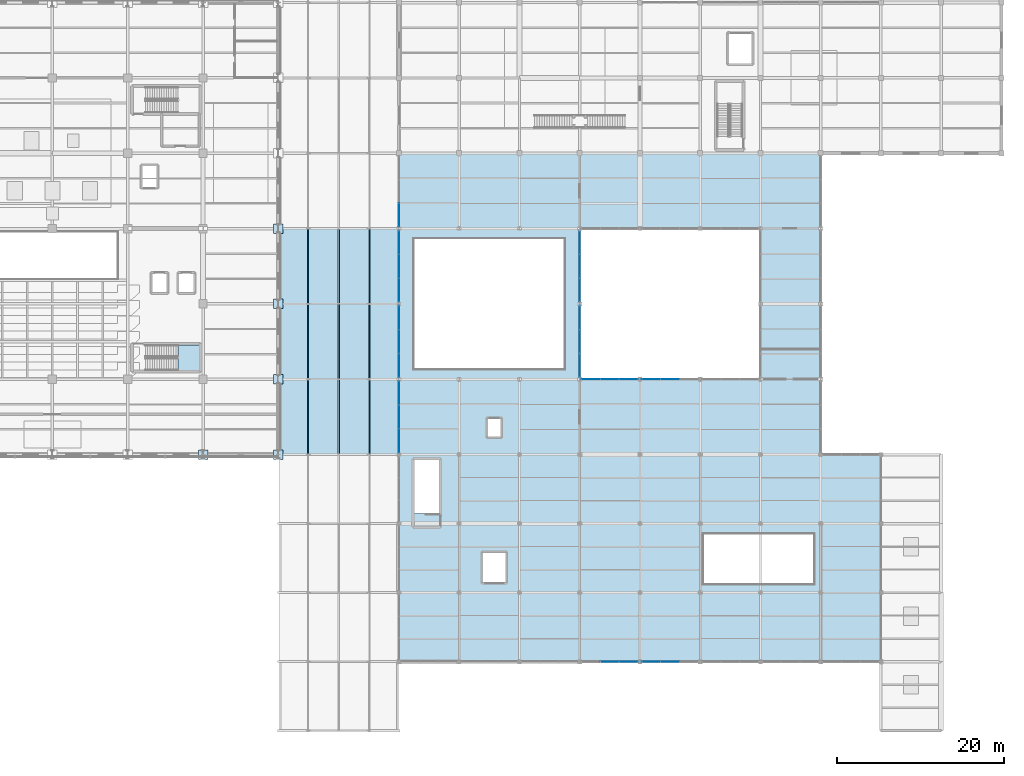
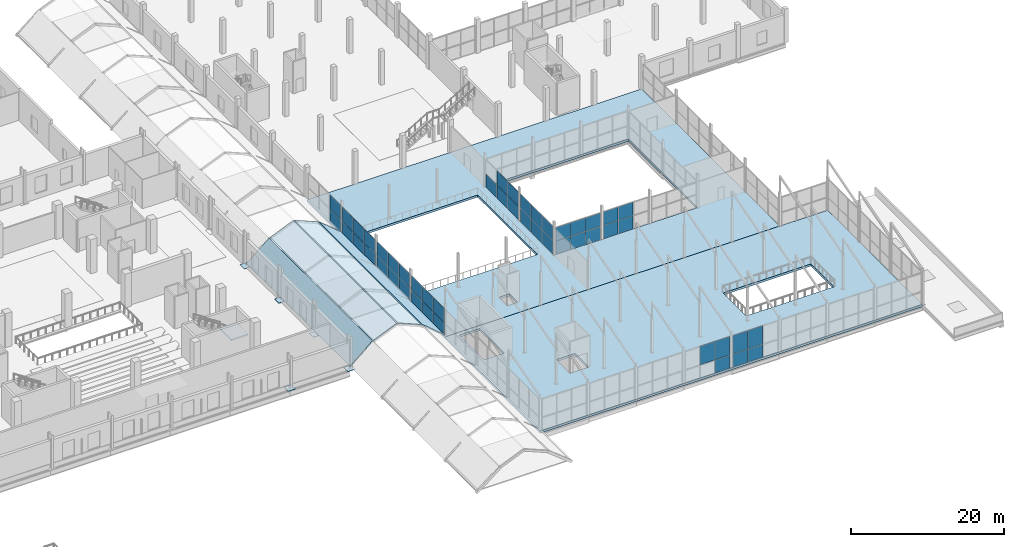
# One storey, part 101 of 141: 53 plates, 7 slabs, 11 elements without a shape of their own.
"""IFC4 building model written with IfcOpenShell, lengths in metres."""

from ifc_helpers import new_model, si_unit, direction, frame, origin, origin_2d, place, context, subcontext, project, spatial, polyline, rectangle, outline, extrude, material, layer, layer_set, type_object, element, aggregate, save


model = new_model("IFC4")

# Units and contexts
model_context = context("Model", 3, precision=1e-05, world=origin(), true_north=direction((0.0, 1.0)))
body_context = subcontext(model_context, "Body", "Model", "MODEL_VIEW")
ifc_project = project(units=[si_unit("LENGTHUNIT", "METRE"), si_unit("AREAUNIT", "SQUARE_METRE"), si_unit("VOLUMEUNIT", "CUBIC_METRE"), si_unit("PLANEANGLEUNIT", "RADIAN"), si_unit("MASSUNIT", "GRAM", prefix="KILO")], contexts=[model_context])

# Site, building, storey
site_placement = place(None, origin())
site = spatial("IfcSite", under=ifc_project, at=site_placement, CompositionType="ELEMENT")
building_placement = place(site_placement, origin())
building = spatial("IfcBuilding", under=site, at=building_placement, Name="Sundgate Opera House", CompositionType="ELEMENT")
storey_placement = place(building_placement, frame((0.0, 0.0, 11.39990234375)))
storey = spatial("IfcBuildingStorey", under=building, at=storey_placement, Name="L02", CompositionType="ELEMENT", Elevation=11.39990234375)

# Curtain wall, plates
ifc_material_1 = material(Name="Anodized aluminium and low-iron glass", Category="aluminium")
ifc_layer_1 = layer(ifc_material_1, 0.159912109375)
ifc_layer_set_1 = layer_set([ifc_layer_1], Name="Anodized aluminium and low-iron glass")
curtain_wall_type_1 = type_object("IfcCurtainWallType", Name="CW-STUDIO-DARK", PredefinedType="NOTDEFINED", material=ifc_layer_set_1)
curtain_wall_1_placement = place(storey_placement, origin())
curtain_wall_1 = element("IfcCurtainWall", 1, at=curtain_wall_1_placement, inside=storey, type_object=curtain_wall_type_1, Name="L02 Curtain Wall CW062", PredefinedType="NOTDEFINED")
ifc_material_2 = material(Name="Dark solar-control triple acoustic glazing", Category="glass")
ifc_layer_2 = layer(ifc_material_2, 0.031982421875)
ifc_layer_set_2 = layer_set([ifc_layer_2], Name="Dark solar-control triple acoustic glazing")
plate_type_1 = type_object("IfcPlateType", Name="CWP-DARK-32", PredefinedType="CURTAIN_PANEL", material=ifc_layer_set_2)
plate_1_placement = place(storey_placement, frame((95.39990234375, 40.35009765625, 0.02001953125), z_axis=(0.0, 0.0, 1.0), x_axis=(0.0, -1.0, 0.0)))
plate_1 = element("IfcPlate", 2, at=plate_1_placement, type_object=plate_type_1, Name="CW062 Panel 1", PredefinedType="CURTAIN_PANEL", context=body_context, shape_type="SweptSolid", body=[
    extrude(rectangle(XDim=2.81005859375, YDim=0.031982421875, at=origin_2d()), origin(), (0.0, 0.0, 1.0), 2.110107421875),
])
plate_2_placement = place(storey_placement, frame((95.39990234375, 40.35009765625, 2.169921875), z_axis=(0.0, 0.0, 1.0), x_axis=(0.0, -1.0, 0.0)))
plate_2 = element("IfcPlate", 3, at=plate_2_placement, type_object=plate_type_1, Name="CW062 Panel 2", PredefinedType="CURTAIN_PANEL", context=body_context, shape_type="SweptSolid", body=[
    extrude(rectangle(XDim=2.81005859375, YDim=0.031982421875, at=origin_2d()), origin(), (0.0, 0.0, 1.0), 2.264892578125),
])
plate_3_placement = place(storey_placement, frame((95.39990234375, 37.5, 0.02001953125), z_axis=(0.0, 0.0, 1.0), x_axis=(0.0, -1.0, 0.0)))
plate_3 = element("IfcPlate", 4, at=plate_3_placement, type_object=plate_type_1, Name="CW062 Panel 3", PredefinedType="CURTAIN_PANEL", context=body_context, shape_type="SweptSolid", body=[
    extrude(rectangle(XDim=2.81005859375, YDim=0.031982421875, at=origin_2d()), origin(), (0.0, 0.0, 1.0), 2.110107421875),
])
plate_4_placement = place(storey_placement, frame((95.39990234375, 37.5, 2.169921875), z_axis=(0.0, 0.0, 1.0), x_axis=(0.0, -1.0, 0.0)))
plate_4 = element("IfcPlate", 5, at=plate_4_placement, type_object=plate_type_1, Name="CW062 Panel 4", PredefinedType="CURTAIN_PANEL", context=body_context, shape_type="SweptSolid", body=[
    extrude(rectangle(XDim=2.81005859375, YDim=0.031982421875, at=origin_2d()), origin(), (0.0, 0.0, 1.0), 2.264892578125),
])
plate_5_placement = place(storey_placement, frame((95.39990234375, 34.64990234375, 0.02001953125), z_axis=(0.0, 0.0, 1.0), x_axis=(0.0, -1.0, 0.0)))
plate_5 = element("IfcPlate", 6, at=plate_5_placement, type_object=plate_type_1, Name="CW062 Panel 5", PredefinedType="CURTAIN_PANEL", context=body_context, shape_type="SweptSolid", body=[
    extrude(rectangle(XDim=2.81005859375, YDim=0.031982421875, at=origin_2d()), origin(), (0.0, 0.0, 1.0), 2.110107421875),
])
plate_6_placement = place(storey_placement, frame((95.39990234375, 34.64990234375, 2.169921875), z_axis=(0.0, 0.0, 1.0), x_axis=(0.0, -1.0, 0.0)))
plate_6 = element("IfcPlate", 7, at=plate_6_placement, type_object=plate_type_1, Name="CW062 Panel 6", PredefinedType="CURTAIN_PANEL", context=body_context, shape_type="SweptSolid", body=[
    extrude(rectangle(XDim=2.81005859375, YDim=0.031982421875, at=origin_2d()), origin(), (0.0, 0.0, 1.0), 2.264892578125),
])
aggregate(curtain_wall_1, [plate_1, plate_2, plate_3, plate_4, plate_5, plate_6])

curtain_wall_2_placement = place(storey_placement, origin())
curtain_wall_2 = element("IfcCurtainWall", 8, at=curtain_wall_2_placement, inside=storey, type_object=curtain_wall_type_1, Name="L02 Curtain Wall CW064", PredefinedType="NOTDEFINED")
plate_7_placement = place(storey_placement, frame((95.39990234375, 49.35009765625, 0.02001953125), z_axis=(0.0, 0.0, 1.0), x_axis=(0.0, -1.0, 0.0)))
plate_7 = element("IfcPlate", 9, at=plate_7_placement, type_object=plate_type_1, Name="CW064 Panel 1", PredefinedType="CURTAIN_PANEL", context=body_context, shape_type="SweptSolid", body=[
    extrude(rectangle(XDim=2.81005859375, YDim=0.031982421875, at=origin_2d()), origin(), (0.0, 0.0, 1.0), 2.110107421875),
])
plate_8_placement = place(storey_placement, frame((95.39990234375, 49.35009765625, 2.169921875), z_axis=(0.0, 0.0, 1.0), x_axis=(0.0, -1.0, 0.0)))
plate_8 = element("IfcPlate", 10, at=plate_8_placement, type_object=plate_type_1, Name="CW064 Panel 2", PredefinedType="CURTAIN_PANEL", context=body_context, shape_type="SweptSolid", body=[
    extrude(rectangle(XDim=2.81005859375, YDim=0.031982421875, at=origin_2d()), origin(), (0.0, 0.0, 1.0), 2.264892578125),
])
plate_9_placement = place(storey_placement, frame((95.39990234375, 46.5, 0.02001953125), z_axis=(0.0, 0.0, 1.0), x_axis=(0.0, -1.0, 0.0)))
plate_9 = element("IfcPlate", 11, at=plate_9_placement, type_object=plate_type_1, Name="CW064 Panel 3", PredefinedType="CURTAIN_PANEL", context=body_context, shape_type="SweptSolid", body=[
    extrude(rectangle(XDim=2.81005859375, YDim=0.031982421875, at=origin_2d()), origin(), (0.0, 0.0, 1.0), 2.110107421875),
])
plate_10_placement = place(storey_placement, frame((95.39990234375, 46.5, 2.169921875), z_axis=(0.0, 0.0, 1.0), x_axis=(0.0, -1.0, 0.0)))
plate_10 = element("IfcPlate", 12, at=plate_10_placement, type_object=plate_type_1, Name="CW064 Panel 4", PredefinedType="CURTAIN_PANEL", context=body_context, shape_type="SweptSolid", body=[
    extrude(rectangle(XDim=2.81005859375, YDim=0.031982421875, at=origin_2d()), origin(), (0.0, 0.0, 1.0), 2.264892578125),
])
plate_11_placement = place(storey_placement, frame((95.39990234375, 43.64990234375, 0.02001953125), z_axis=(0.0, 0.0, 1.0), x_axis=(0.0, -1.0, 0.0)))
plate_11 = element("IfcPlate", 13, at=plate_11_placement, type_object=plate_type_1, Name="CW064 Panel 5", PredefinedType="CURTAIN_PANEL", context=body_context, shape_type="SweptSolid", body=[
    extrude(rectangle(XDim=2.81005859375, YDim=0.031982421875, at=origin_2d()), origin(), (0.0, 0.0, 1.0), 2.110107421875),
])
plate_12_placement = place(storey_placement, frame((95.39990234375, 43.64990234375, 2.169921875), z_axis=(0.0, 0.0, 1.0), x_axis=(0.0, -1.0, 0.0)))
plate_12 = element("IfcPlate", 14, at=plate_12_placement, type_object=plate_type_1, Name="CW064 Panel 6", PredefinedType="CURTAIN_PANEL", context=body_context, shape_type="SweptSolid", body=[
    extrude(rectangle(XDim=2.81005859375, YDim=0.031982421875, at=origin_2d()), origin(), (0.0, 0.0, 1.0), 2.264892578125),
])
aggregate(curtain_wall_2, [plate_7, plate_8, plate_9, plate_10, plate_11, plate_12])

curtain_wall_3_placement = place(storey_placement, origin())
curtain_wall_3 = element("IfcCurtainWall", 15, at=curtain_wall_3_placement, inside=storey, type_object=curtain_wall_type_1, Name="L02 Curtain Wall CW066", PredefinedType="NOTDEFINED")
plate_13_placement = place(storey_placement, frame((95.39990234375, 58.35009765625, 0.02001953125), z_axis=(0.0, 0.0, 1.0), x_axis=(0.0, -1.0, 0.0)))
plate_13 = element("IfcPlate", 16, at=plate_13_placement, type_object=plate_type_1, Name="CW066 Panel 1", PredefinedType="CURTAIN_PANEL", context=body_context, shape_type="SweptSolid", body=[
    extrude(rectangle(XDim=2.81005859375, YDim=0.031982421875, at=origin_2d()), origin(), (0.0, 0.0, 1.0), 2.110107421875),
])
plate_14_placement = place(storey_placement, frame((95.39990234375, 58.35009765625, 2.169921875), z_axis=(0.0, 0.0, 1.0), x_axis=(0.0, -1.0, 0.0)))
plate_14 = element("IfcPlate", 17, at=plate_14_placement, type_object=plate_type_1, Name="CW066 Panel 2", PredefinedType="CURTAIN_PANEL", context=body_context, shape_type="SweptSolid", body=[
    extrude(rectangle(XDim=2.81005859375, YDim=0.031982421875, at=origin_2d()), origin(), (0.0, 0.0, 1.0), 2.264892578125),
])
plate_15_placement = place(storey_placement, frame((95.39990234375, 55.5, 0.02001953125), z_axis=(0.0, 0.0, 1.0), x_axis=(0.0, -1.0, 0.0)))
plate_15 = element("IfcPlate", 18, at=plate_15_placement, type_object=plate_type_1, Name="CW066 Panel 3", PredefinedType="CURTAIN_PANEL", context=body_context, shape_type="SweptSolid", body=[
    extrude(rectangle(XDim=2.81005859375, YDim=0.031982421875, at=origin_2d()), origin(), (0.0, 0.0, 1.0), 2.110107421875),
])
plate_16_placement = place(storey_placement, frame((95.39990234375, 55.5, 2.169921875), z_axis=(0.0, 0.0, 1.0), x_axis=(0.0, -1.0, 0.0)))
plate_16 = element("IfcPlate", 19, at=plate_16_placement, type_object=plate_type_1, Name="CW066 Panel 4", PredefinedType="CURTAIN_PANEL", context=body_context, shape_type="SweptSolid", body=[
    extrude(rectangle(XDim=2.81005859375, YDim=0.031982421875, at=origin_2d()), origin(), (0.0, 0.0, 1.0), 2.264892578125),
])
plate_17_placement = place(storey_placement, frame((95.39990234375, 52.64990234375, 0.02001953125), z_axis=(0.0, 0.0, 1.0), x_axis=(0.0, -1.0, 0.0)))
plate_17 = element("IfcPlate", 20, at=plate_17_placement, type_object=plate_type_1, Name="CW066 Panel 5", PredefinedType="CURTAIN_PANEL", context=body_context, shape_type="SweptSolid", body=[
    extrude(rectangle(XDim=2.81005859375, YDim=0.031982421875, at=origin_2d()), origin(), (0.0, 0.0, 1.0), 2.110107421875),
])
plate_18_placement = place(storey_placement, frame((95.39990234375, 52.64990234375, 2.169921875), z_axis=(0.0, 0.0, 1.0), x_axis=(0.0, -1.0, 0.0)))
plate_18 = element("IfcPlate", 21, at=plate_18_placement, type_object=plate_type_1, Name="CW066 Panel 6", PredefinedType="CURTAIN_PANEL", context=body_context, shape_type="SweptSolid", body=[
    extrude(rectangle(XDim=2.81005859375, YDim=0.031982421875, at=origin_2d()), origin(), (0.0, 0.0, 1.0), 2.264892578125),
])
aggregate(curtain_wall_3, [plate_13, plate_14, plate_15, plate_16, plate_17, plate_18])

curtain_wall_4_placement = place(storey_placement, origin())
curtain_wall_4 = element("IfcCurtainWall", 22, at=curtain_wall_4_placement, inside=storey, type_object=curtain_wall_type_1, Name="L02 Curtain Wall CW068", PredefinedType="NOTDEFINED")
plate_19_placement = place(storey_placement, frame((95.39990234375, 61.629150390625, 0.02001953125), z_axis=(0.0, 0.0, 1.0), x_axis=(0.0, -1.0, 0.0)))
plate_19 = element("IfcPlate", 23, at=plate_19_placement, type_object=plate_type_1, Name="CW068 Panel 5", PredefinedType="CURTAIN_PANEL", context=body_context, shape_type="SweptSolid", body=[
    extrude(rectangle(XDim=2.768310546875, YDim=0.031982421875, at=origin_2d()), origin(), (0.0, 0.0, 1.0), 2.110107421875),
])
plate_20_placement = place(storey_placement, frame((95.39990234375, 61.629150390625, 2.169921875), z_axis=(0.0, 0.0, 1.0), x_axis=(0.0, -1.0, 0.0)))
plate_20 = element("IfcPlate", 24, at=plate_20_placement, type_object=plate_type_1, Name="CW068 Panel 6", PredefinedType="CURTAIN_PANEL", context=body_context, shape_type="SweptSolid", body=[
    extrude(rectangle(XDim=2.768310546875, YDim=0.031982421875, at=origin_2d()), origin(), (0.0, 0.0, 1.0), 2.264892578125),
])
aggregate(curtain_wall_4, [plate_19, plate_20])

curtain_wall_5_placement = place(storey_placement, origin())
curtain_wall_5 = element("IfcCurtainWall", 25, at=curtain_wall_5_placement, inside=storey, type_object=curtain_wall_type_1, Name="L02 Curtain Wall CW070", PredefinedType="NOTDEFINED")
plate_21_placement = place(storey_placement, frame((118.35009765625, 42.0, 0.02001953125), z_axis=(0.0, 0.0, 1.0), x_axis=(1.0, 0.0, 0.0)))
plate_21 = element("IfcPlate", 26, at=plate_21_placement, type_object=plate_type_1, Name="CW070 Panel 1", PredefinedType="CURTAIN_PANEL", context=body_context, shape_type="SweptSolid", body=[
    extrude(rectangle(XDim=2.2099609375, YDim=0.031982421875, at=origin_2d()), origin(), (0.0, 0.0, 1.0), 2.110107421875),
])
plate_22_placement = place(storey_placement, frame((118.35009765625, 42.0, 2.169921875), z_axis=(0.0, 0.0, 1.0), x_axis=(1.0, 0.0, 0.0)))
plate_22 = element("IfcPlate", 27, at=plate_22_placement, type_object=plate_type_1, Name="CW070 Panel 2", PredefinedType="CURTAIN_PANEL", context=body_context, shape_type="SweptSolid", body=[
    extrude(rectangle(XDim=2.2099609375, YDim=0.031982421875, at=origin_2d()), origin(), (0.0, 0.0, 1.0), 2.114990234375),
])
plate_23_placement = place(storey_placement, frame((120.60009765625, 42.0, 0.02001953125), z_axis=(0.0, 0.0, 1.0), x_axis=(1.0, 0.0, 0.0)))
plate_23 = element("IfcPlate", 28, at=plate_23_placement, type_object=plate_type_1, Name="CW070 Panel 3", PredefinedType="CURTAIN_PANEL", context=body_context, shape_type="SweptSolid", body=[
    extrude(rectangle(XDim=2.2099609375, YDim=0.031982421875, at=origin_2d()), origin(), (0.0, 0.0, 1.0), 2.110107421875),
])
plate_24_placement = place(storey_placement, frame((120.60009765625, 42.0, 2.169921875), z_axis=(0.0, 0.0, 1.0), x_axis=(1.0, 0.0, 0.0)))
plate_24 = element("IfcPlate", 29, at=plate_24_placement, type_object=plate_type_1, Name="CW070 Panel 4", PredefinedType="CURTAIN_PANEL", context=body_context, shape_type="SweptSolid", body=[
    extrude(rectangle(XDim=2.2099609375, YDim=0.031982421875, at=origin_2d()), origin(), (0.0, 0.0, 1.0), 2.114990234375),
])
plate_25_placement = place(storey_placement, frame((122.85009765625, 42.0, 0.02001953125), z_axis=(0.0, 0.0, 1.0), x_axis=(1.0, 0.0, 0.0)))
plate_25 = element("IfcPlate", 30, at=plate_25_placement, type_object=plate_type_1, Name="CW070 Panel 5", PredefinedType="CURTAIN_PANEL", context=body_context, shape_type="SweptSolid", body=[
    extrude(rectangle(XDim=2.2099609375, YDim=0.031982421875, at=origin_2d()), origin(), (0.0, 0.0, 1.0), 2.110107421875),
])
plate_26_placement = place(storey_placement, frame((122.85009765625, 42.0, 2.169921875), z_axis=(0.0, 0.0, 1.0), x_axis=(1.0, 0.0, 0.0)))
plate_26 = element("IfcPlate", 31, at=plate_26_placement, type_object=plate_type_1, Name="CW070 Panel 6", PredefinedType="CURTAIN_PANEL", context=body_context, shape_type="SweptSolid", body=[
    extrude(rectangle(XDim=2.2099609375, YDim=0.031982421875, at=origin_2d()), origin(), (0.0, 0.0, 1.0), 2.114990234375),
])
aggregate(curtain_wall_5, [plate_21, plate_22, plate_23, plate_24, plate_25, plate_26])

curtain_wall_6_placement = place(storey_placement, origin())
curtain_wall_6 = element("IfcCurtainWall", 32, at=curtain_wall_6_placement, inside=storey, type_object=curtain_wall_type_1, Name="L02 Curtain Wall CW072", PredefinedType="NOTDEFINED")
plate_27_placement = place(storey_placement, frame((125.550048828125, 42.0, 0.02001953125), z_axis=(0.0, 0.0, 1.0), x_axis=(1.0, 0.0, 0.0)))
plate_27 = element("IfcPlate", 33, at=plate_27_placement, type_object=plate_type_1, Name="CW072 Panel 1", PredefinedType="CURTAIN_PANEL", context=body_context, shape_type="SweptSolid", body=[
    extrude(rectangle(XDim=2.2099609375, YDim=0.031982421875, at=origin_2d()), origin(), (0.0, 0.0, 1.0), 2.110107421875),
])
plate_28_placement = place(storey_placement, frame((125.550048828125, 42.0, 2.169921875), z_axis=(0.0, 0.0, 1.0), x_axis=(1.0, 0.0, 0.0)))
plate_28 = element("IfcPlate", 34, at=plate_28_placement, type_object=plate_type_1, Name="CW072 Panel 2", PredefinedType="CURTAIN_PANEL", context=body_context, shape_type="SweptSolid", body=[
    extrude(rectangle(XDim=2.2099609375, YDim=0.031982421875, at=origin_2d()), origin(), (0.0, 0.0, 1.0), 2.114990234375),
])
plate_29_placement = place(storey_placement, frame((127.800048828125, 42.0, 0.02001953125), z_axis=(0.0, 0.0, 1.0), x_axis=(1.0, 0.0, 0.0)))
plate_29 = element("IfcPlate", 35, at=plate_29_placement, type_object=plate_type_1, Name="CW072 Panel 3", PredefinedType="CURTAIN_PANEL", context=body_context, shape_type="SweptSolid", body=[
    extrude(rectangle(XDim=2.2099609375, YDim=0.031982421875, at=origin_2d()), origin(), (0.0, 0.0, 1.0), 2.110107421875),
])
plate_30_placement = place(storey_placement, frame((127.800048828125, 42.0, 2.169921875), z_axis=(0.0, 0.0, 1.0), x_axis=(1.0, 0.0, 0.0)))
plate_30 = element("IfcPlate", 36, at=plate_30_placement, type_object=plate_type_1, Name="CW072 Panel 4", PredefinedType="CURTAIN_PANEL", context=body_context, shape_type="SweptSolid", body=[
    extrude(rectangle(XDim=2.2099609375, YDim=0.031982421875, at=origin_2d()), origin(), (0.0, 0.0, 1.0), 2.114990234375),
])
aggregate(curtain_wall_6, [plate_27, plate_28, plate_29, plate_30])

curtain_wall_7_placement = place(storey_placement, origin())
curtain_wall_7 = element("IfcCurtainWall", 37, at=curtain_wall_7_placement, inside=storey, type_object=curtain_wall_type_1, Name="L02 Curtain Wall CW076", PredefinedType="NOTDEFINED")
plate_31_placement = place(storey_placement, frame((117.0, 43.64990234375, 0.02001953125), z_axis=(0.0, 0.0, 1.0), x_axis=(0.0, 1.0, 0.0)))
plate_31 = element("IfcPlate", 38, at=plate_31_placement, type_object=plate_type_1, Name="CW076 Panel 1", PredefinedType="CURTAIN_PANEL", context=body_context, shape_type="SweptSolid", body=[
    extrude(rectangle(XDim=2.81005859375, YDim=0.031982421875, at=origin_2d()), origin(), (0.0, 0.0, 1.0), 2.110107421875),
])
plate_32_placement = place(storey_placement, frame((117.0, 43.64990234375, 2.169921875), z_axis=(0.0, 0.0, 1.0), x_axis=(0.0, 1.0, 0.0)))
plate_32 = element("IfcPlate", 39, at=plate_32_placement, type_object=plate_type_1, Name="CW076 Panel 2", PredefinedType="CURTAIN_PANEL", context=body_context, shape_type="SweptSolid", body=[
    extrude(rectangle(XDim=2.81005859375, YDim=0.031982421875, at=origin_2d()), origin(), (0.0, 0.0, 1.0), 2.264892578125),
])
plate_33_placement = place(storey_placement, frame((117.0, 46.5, 0.02001953125), z_axis=(0.0, 0.0, 1.0), x_axis=(0.0, 1.0, 0.0)))
plate_33 = element("IfcPlate", 40, at=plate_33_placement, type_object=plate_type_1, Name="CW076 Panel 3", PredefinedType="CURTAIN_PANEL", context=body_context, shape_type="SweptSolid", body=[
    extrude(rectangle(XDim=2.81005859375, YDim=0.031982421875, at=origin_2d()), origin(), (0.0, 0.0, 1.0), 2.110107421875),
])
plate_34_placement = place(storey_placement, frame((117.0, 46.5, 2.169921875), z_axis=(0.0, 0.0, 1.0), x_axis=(0.0, 1.0, 0.0)))
plate_34 = element("IfcPlate", 41, at=plate_34_placement, type_object=plate_type_1, Name="CW076 Panel 4", PredefinedType="CURTAIN_PANEL", context=body_context, shape_type="SweptSolid", body=[
    extrude(rectangle(XDim=2.81005859375, YDim=0.031982421875, at=origin_2d()), origin(), (0.0, 0.0, 1.0), 2.264892578125),
])
plate_35_placement = place(storey_placement, frame((117.0, 49.35009765625, 0.02001953125), z_axis=(0.0, 0.0, 1.0), x_axis=(0.0, 1.0, 0.0)))
plate_35 = element("IfcPlate", 42, at=plate_35_placement, type_object=plate_type_1, Name="CW076 Panel 5", PredefinedType="CURTAIN_PANEL", context=body_context, shape_type="SweptSolid", body=[
    extrude(rectangle(XDim=2.81005859375, YDim=0.031982421875, at=origin_2d()), origin(), (0.0, 0.0, 1.0), 2.110107421875),
])
plate_36_placement = place(storey_placement, frame((117.0, 49.35009765625, 2.169921875), z_axis=(0.0, 0.0, 1.0), x_axis=(0.0, 1.0, 0.0)))
plate_36 = element("IfcPlate", 43, at=plate_36_placement, type_object=plate_type_1, Name="CW076 Panel 6", PredefinedType="CURTAIN_PANEL", context=body_context, shape_type="SweptSolid", body=[
    extrude(rectangle(XDim=2.81005859375, YDim=0.031982421875, at=origin_2d()), origin(), (0.0, 0.0, 1.0), 2.264892578125),
])
aggregate(curtain_wall_7, [plate_31, plate_32, plate_33, plate_34, plate_35, plate_36])

curtain_wall_8_placement = place(storey_placement, origin())
curtain_wall_8 = element("IfcCurtainWall", 44, at=curtain_wall_8_placement, inside=storey, type_object=curtain_wall_type_1, Name="L02 Curtain Wall CW078", PredefinedType="NOTDEFINED")
plate_37_placement = place(storey_placement, frame((117.0, 52.64990234375, 0.02001953125), z_axis=(0.0, 0.0, 1.0), x_axis=(0.0, 1.0, 0.0)))
plate_37 = element("IfcPlate", 45, at=plate_37_placement, type_object=plate_type_1, Name="CW078 Panel 1", PredefinedType="CURTAIN_PANEL", context=body_context, shape_type="SweptSolid", body=[
    extrude(rectangle(XDim=2.81005859375, YDim=0.031982421875, at=origin_2d()), origin(), (0.0, 0.0, 1.0), 2.110107421875),
])
plate_38_placement = place(storey_placement, frame((117.0, 52.64990234375, 2.169921875), z_axis=(0.0, 0.0, 1.0), x_axis=(0.0, 1.0, 0.0)))
plate_38 = element("IfcPlate", 46, at=plate_38_placement, type_object=plate_type_1, Name="CW078 Panel 2", PredefinedType="CURTAIN_PANEL", context=body_context, shape_type="SweptSolid", body=[
    extrude(rectangle(XDim=2.81005859375, YDim=0.031982421875, at=origin_2d()), origin(), (0.0, 0.0, 1.0), 2.264892578125),
])
plate_39_placement = place(storey_placement, frame((117.0, 55.5, 0.02001953125), z_axis=(0.0, 0.0, 1.0), x_axis=(0.0, 1.0, 0.0)))
plate_39 = element("IfcPlate", 47, at=plate_39_placement, type_object=plate_type_1, Name="CW078 Panel 3", PredefinedType="CURTAIN_PANEL", context=body_context, shape_type="SweptSolid", body=[
    extrude(rectangle(XDim=2.81005859375, YDim=0.031982421875, at=origin_2d()), origin(), (0.0, 0.0, 1.0), 2.110107421875),
])
plate_40_placement = place(storey_placement, frame((117.0, 55.5, 2.169921875), z_axis=(0.0, 0.0, 1.0), x_axis=(0.0, 1.0, 0.0)))
plate_40 = element("IfcPlate", 48, at=plate_40_placement, type_object=plate_type_1, Name="CW078 Panel 4", PredefinedType="CURTAIN_PANEL", context=body_context, shape_type="SweptSolid", body=[
    extrude(rectangle(XDim=2.81005859375, YDim=0.031982421875, at=origin_2d()), origin(), (0.0, 0.0, 1.0), 2.264892578125),
])
plate_41_placement = place(storey_placement, frame((117.0, 58.35009765625, 0.02001953125), z_axis=(0.0, 0.0, 1.0), x_axis=(0.0, 1.0, 0.0)))
plate_41 = element("IfcPlate", 49, at=plate_41_placement, type_object=plate_type_1, Name="CW078 Panel 5", PredefinedType="CURTAIN_PANEL", context=body_context, shape_type="SweptSolid", body=[
    extrude(rectangle(XDim=2.81005859375, YDim=0.031982421875, at=origin_2d()), origin(), (0.0, 0.0, 1.0), 2.110107421875),
])
aggregate(curtain_wall_8, [plate_37, plate_38, plate_39, plate_40, plate_41])

ifc_material_3 = material(Name="Anodized aluminium and low-iron glass", Category="aluminium")
ifc_layer_3 = layer(ifc_material_3, 0.14990234375)
ifc_layer_set_3 = layer_set([ifc_layer_3], Name="Anodized aluminium and low-iron glass")
curtain_wall_type_2 = type_object("IfcCurtainWallType", Name="CW-WORKSHOP-DARK", PredefinedType="NOTDEFINED", material=ifc_layer_set_3)
curtain_wall_9_placement = place(storey_placement, origin())
curtain_wall_9 = element("IfcCurtainWall", 50, at=curtain_wall_9_placement, inside=storey, type_object=curtain_wall_type_2, Name="L02 Curtain Wall CW157", PredefinedType="NOTDEFINED")
plate_42_placement = place(storey_placement, frame((122.85009765625, 8.25, 0.02001953125), z_axis=(0.0, 0.0, 1.0), x_axis=(-1.0, 0.0, 0.0)))
plate_42 = element("IfcPlate", 51, at=plate_42_placement, type_object=plate_type_1, Name="CW157 Panel 1", PredefinedType="CURTAIN_PANEL", context=body_context, shape_type="SweptSolid", body=[
    extrude(rectangle(XDim=2.2099609375, YDim=0.031982421875, at=origin_2d()), origin(), (0.0, 0.0, 1.0), 2.06005859375),
])
plate_43_placement = place(storey_placement, frame((122.85009765625, 8.25, 2.1201171875), z_axis=(0.0, 0.0, 1.0), x_axis=(-1.0, 0.0, 0.0)))
plate_43 = element("IfcPlate", 52, at=plate_43_placement, type_object=plate_type_1, Name="CW157 Panel 2", PredefinedType="CURTAIN_PANEL", context=body_context, shape_type="SweptSolid", body=[
    extrude(rectangle(XDim=2.2099609375, YDim=0.031982421875, at=origin_2d()), origin(), (0.0, 0.0, 1.0), 2.945068359375),
])
plate_44_placement = place(storey_placement, frame((120.60009765625, 8.25, 2.1201171875), z_axis=(0.0, 0.0, 1.0), x_axis=(-1.0, 0.0, 0.0)))
plate_44 = element("IfcPlate", 53, at=plate_44_placement, type_object=plate_type_1, Name="CW157 Panel 4", PredefinedType="CURTAIN_PANEL", context=body_context, shape_type="SweptSolid", body=[
    extrude(rectangle(XDim=2.2099609375, YDim=0.031982421875, at=origin_2d()), origin(), (0.0, 0.0, 1.0), 2.945068359375),
])
aggregate(curtain_wall_9, [plate_42, plate_43, plate_44])

curtain_wall_10_placement = place(storey_placement, origin())
curtain_wall_10 = element("IfcCurtainWall", 54, at=curtain_wall_10_placement, inside=storey, type_object=curtain_wall_type_2, Name="L02 Curtain Wall CW158", PredefinedType="NOTDEFINED")
plate_45_placement = place(storey_placement, frame((127.800048828125, 8.25, 0.02001953125), z_axis=(0.0, 0.0, 1.0), x_axis=(-1.0, 0.0, 0.0)))
plate_45 = element("IfcPlate", 55, at=plate_45_placement, type_object=plate_type_1, Name="CW158 Panel 3", PredefinedType="CURTAIN_PANEL", context=body_context, shape_type="SweptSolid", body=[
    extrude(rectangle(XDim=2.2099609375, YDim=0.031982421875, at=origin_2d()), origin(), (0.0, 0.0, 1.0), 2.06005859375),
])
plate_46_placement = place(storey_placement, frame((127.800048828125, 8.25, 2.1201171875), z_axis=(0.0, 0.0, 1.0), x_axis=(-1.0, 0.0, 0.0)))
plate_46 = element("IfcPlate", 56, at=plate_46_placement, type_object=plate_type_1, Name="CW158 Panel 4", PredefinedType="CURTAIN_PANEL", context=body_context, shape_type="SweptSolid", body=[
    extrude(rectangle(XDim=2.2099609375, YDim=0.031982421875, at=origin_2d()), origin(), (0.0, 0.0, 1.0), 2.945068359375),
])
plate_47_placement = place(storey_placement, frame((125.550048828125, 8.25, 0.02001953125), z_axis=(0.0, 0.0, 1.0), x_axis=(-1.0, 0.0, 0.0)))
plate_47 = element("IfcPlate", 57, at=plate_47_placement, type_object=plate_type_1, Name="CW158 Panel 5", PredefinedType="CURTAIN_PANEL", context=body_context, shape_type="SweptSolid", body=[
    extrude(rectangle(XDim=2.2099609375, YDim=0.031982421875, at=origin_2d()), origin(), (0.0, 0.0, 1.0), 2.06005859375),
])
plate_48_placement = place(storey_placement, frame((125.550048828125, 8.25, 2.1201171875), z_axis=(0.0, 0.0, 1.0), x_axis=(-1.0, 0.0, 0.0)))
plate_48 = element("IfcPlate", 58, at=plate_48_placement, type_object=plate_type_1, Name="CW158 Panel 6", PredefinedType="CURTAIN_PANEL", context=body_context, shape_type="SweptSolid", body=[
    extrude(rectangle(XDim=2.2099609375, YDim=0.031982421875, at=origin_2d()), origin(), (0.0, 0.0, 1.0), 2.945068359375),
])
aggregate(curtain_wall_10, [plate_45, plate_46, plate_47, plate_48])

# Plates
ifc_material_4 = material(Name="Steel S355J2", Category="steel")
ifc_layer_4 = layer(ifc_material_4, 0.02587890625)
ifc_layer_set_4 = layer_set([ifc_layer_4], Name="Steel S355J2")
plate_type_2 = type_object("IfcPlateType", Name="PT-BAS-26", PredefinedType="USERDEFINED", material=ifc_layer_set_4)
plate_49_placement = place(storey_placement, frame((81.0, 42.0, 0.000244140625), z_axis=(0.0, 0.0, 1.0), x_axis=(1.0, 0.0, 0.0)))
element("IfcPlate", 59, at=plate_49_placement, inside=storey, type_object=plate_type_2, Name="L02 Base Plate PT0144", ObjectType="BASE PLATE", PredefinedType="USERDEFINED", context=body_context, shape_type="SweptSolid", body=[
    extrude(rectangle(XDim=1.139892578125, YDim=1.139892578125, at=origin_2d()), origin(), (0.0, 0.0, 1.0), 0.02587890625),
])
ifc_material_5 = material(Name="Steel S355J2", Category="steel")
ifc_layer_5 = layer(ifc_material_5, 0.030029296875)
ifc_layer_set_5 = layer_set([ifc_layer_5], Name="Steel S355J2")
plate_type_3 = type_object("IfcPlateType", Name="PT-BAS-30", PredefinedType="USERDEFINED", material=ifc_layer_set_5)
plate_50_placement = place(storey_placement, frame((81.0, 51.0, 0.0), z_axis=(0.0, 0.0, 1.0), x_axis=(1.0, 0.0, 0.0)))
element("IfcPlate", 60, at=plate_50_placement, inside=storey, type_object=plate_type_3, Name="L02 Base Plate PT0148", ObjectType="BASE PLATE", PredefinedType="USERDEFINED", context=body_context, shape_type="SweptSolid", body=[
    extrude(rectangle(XDim=1.139892578125, YDim=1.139892578125, at=origin_2d()), origin(), (0.0, 0.0, 1.0), 0.030029296875),
])
ifc_material_6 = material(Name="Steel S355J2", Category="steel")
ifc_layer_6 = layer(ifc_material_6, 0.033935546875)
ifc_layer_set_6 = layer_set([ifc_layer_6], Name="Steel S355J2")
plate_type_4 = type_object("IfcPlateType", Name="PT-BAS-34", PredefinedType="USERDEFINED", material=ifc_layer_set_6)
plate_51_placement = place(storey_placement, frame((81.0, 60.0, 0.0), z_axis=(0.0, 0.0, 1.0), x_axis=(1.0, 0.0, 0.0)))
element("IfcPlate", 61, at=plate_51_placement, inside=storey, type_object=plate_type_4, Name="L02 Base Plate PT0152", ObjectType="BASE PLATE", PredefinedType="USERDEFINED", context=body_context, shape_type="SweptSolid", body=[
    extrude(rectangle(XDim=1.139892578125, YDim=1.139892578125, at=origin_2d()), origin(), (0.0, 0.0, 1.0), 0.033935546875),
])
ifc_material_7 = material(Name="Steel S355J2", Category="steel")
ifc_layer_7 = layer(ifc_material_7, 0.055908203125)
ifc_layer_set_7 = layer_set([ifc_layer_7], Name="Steel S355J2")
plate_type_5 = type_object("IfcPlateType", Name="PT-BAS-56", PredefinedType="USERDEFINED", material=ifc_layer_set_7)
plate_52_placement = place(storey_placement, frame((81.0, 33.0, 0.0), z_axis=(0.0, 0.0, 1.0), x_axis=(1.0, 0.0, 0.0)))
element("IfcPlate", 62, at=plate_52_placement, inside=storey, type_object=plate_type_5, Name="L02 Base Plate PT0140", ObjectType="BASE PLATE", PredefinedType="USERDEFINED", context=body_context, shape_type="SweptSolid", body=[
    extrude(rectangle(XDim=1.139892578125, YDim=1.139892578125, at=origin_2d()), origin(), (0.0, 0.0, 1.0), 0.055908203125),
])
ifc_material_8 = material(Name="Steel S355J2", Category="steel")
ifc_layer_8 = layer(ifc_material_8, 0.06201171875)
ifc_layer_set_8 = layer_set([ifc_layer_8], Name="Steel S355J2")
plate_type_6 = type_object("IfcPlateType", Name="PT-BAS-62", PredefinedType="USERDEFINED", material=ifc_layer_set_8)
plate_53_placement = place(storey_placement, frame((72.0, 33.0, 0.0), z_axis=(0.0, 0.0, 1.0), x_axis=(1.0, 0.0, 0.0)))
element("IfcPlate", 63, at=plate_53_placement, inside=storey, type_object=plate_type_6, Name="L02 Base Plate PT0115", ObjectType="BASE PLATE", PredefinedType="USERDEFINED", context=body_context, shape_type="SweptSolid", body=[
    extrude(rectangle(XDim=1.139892578125, YDim=1.139892578125, at=origin_2d()), origin(), (0.0, 0.0, 1.0), 0.06201171875),
])

# Slabs
ifc_material_9 = material(Name="Concrete C40/50", Category="concrete")
ifc_layer_9 = layer(ifc_material_9, 0.35009765625)
ifc_layer_set_9 = layer_set([ifc_layer_9], Name="Concrete C40/50")
slab_type_1 = type_object("IfcSlabType", Name="SL-FLR-350", PredefinedType="FLOOR", material=ifc_layer_set_9)
slab_1_placement = place(storey_placement, frame((0.0, 0.0, -0.349853515625)))
element("IfcSlab", 64, at=slab_1_placement, inside=storey, type_object=slab_type_1, Name="L02 Structural Floor Slab V2", PredefinedType="FLOOR", context=body_context, shape_type="SweptSolid", body=[
    extrude(outline(polyline([(95.39990234375, 33.0), (145.800048828125, 33.0), (145.800048828125, 69.0), (95.39990234375, 69.0), (95.39990234375, 33.0)]), holes=[polyline([(117.0, 60.0), (138.60009765625, 60.0), (138.60009765625, 42.0), (117.0, 42.0), (117.0, 60.0)]), polyline([(97.199951171875, 58.800048828125), (115.199951171875, 58.800048828125), (115.199951171875, 43.199951171875), (97.199951171875, 43.199951171875), (97.199951171875, 58.800048828125)]), polyline([(106.02001953125, 37.280029296875), (107.580078125, 37.280029296875), (107.580078125, 35.1201171875), (106.02001953125, 35.1201171875), (106.02001953125, 37.280029296875)])]), origin(), (0.0, 0.0, 1.0), 0.349853515625),
])
slab_2_placement = place(storey_placement, frame((0.0, 0.0, -0.349853515625)))
element("IfcSlab", 65, at=slab_2_placement, inside=storey, type_object=slab_type_1, Name="L02 Structural Floor Slab V3", PredefinedType="FLOOR", context=body_context, shape_type="SweptSolid", body=[
    extrude(outline(polyline([(95.39990234375, 8.25), (153.0, 8.25), (153.0, 33.0), (95.39990234375, 33.0), (95.39990234375, 8.25)]), holes=[polyline([(131.800048828125, 23.5), (145.0, 23.5), (145.0, 17.5), (131.800048828125, 17.5), (131.800048828125, 23.5)]), polyline([(97.199951171875, 32.39990234375), (100.25, 32.39990234375), (100.25, 25.949951171875), (97.199951171875, 25.949951171875), (97.199951171875, 32.39990234375)]), polyline([(105.419921875, 21.280029296875), (108.179931640625, 21.280029296875), (108.179931640625, 17.719970703125), (105.419921875, 17.719970703125), (105.419921875, 21.280029296875)])]), origin(), (0.0, 0.0, 1.0), 0.349853515625),
])

# Stair, slab
ifc_material_10 = material(Name="Concrete C35/45", Category="concrete")
stair_type = type_object("IfcStairType", Name="ST-HT-30R-1450", PredefinedType="HALF_TURN_STAIR", material=ifc_material_10)
stair_placement = place(storey_placement, origin())
stair = element("IfcStair", 66, at=stair_placement, inside=storey, type_object=stair_type, Name="L02 Escape Stair ST-03", PredefinedType="HALF_TURN_STAIR")
ifc_material_11 = material(Name="Concrete C35/45", Category="concrete")
ifc_layer_10 = layer(ifc_material_11, 0.199951171875)
ifc_layer_set_10 = layer_set([ifc_layer_10], Name="Concrete C35/45")
slab_type_2 = type_object("IfcSlabType", Name="SL-LAND-200", PredefinedType="LANDING", material=ifc_layer_set_10)
slab_3_placement = place(storey_placement, frame((0.0, 0.0, 2.5)))
slab_3 = element("IfcSlab", 67, at=slab_3_placement, type_object=slab_type_2, Name="ST03L02 Landing 1", PredefinedType="LANDING", context=body_context, shape_type="SweptSolid", body=[
    extrude(outline(polyline([(69.02001953125, 43.050048828125), (71.550048828125, 43.050048828125), (71.550048828125, 46.10009765625), (69.02001953125, 46.10009765625), (69.02001953125, 43.050048828125)])), origin(), (0.0, 0.0, 1.0), 0.2001953125),
])
aggregate(stair, [slab_3])

# Slabs
ifc_material_12 = material(Name="Precast concrete C40/50", Category="concrete")
ifc_layer_11 = layer(ifc_material_12, 0.175048828125)
ifc_layer_set_11 = layer_set([ifc_layer_11], Name="Precast concrete C40/50")
slab_type_3 = type_object("IfcSlabType", Name="SL-ROOF-175", PredefinedType="ROOF", material=ifc_layer_set_11)
slab_4_placement = place(storey_placement, frame((81.050048828125, 33.0, 0.35009765625), z_axis=(-0.641745567159, 0.0, 0.76691761424), x_axis=(0.76691761424, 0.0, 0.641745567159)))
element("IfcSlab", 68, at=slab_4_placement, inside=storey, type_object=slab_type_3, Name="Passage Vaulted Roof Slab SR045", PredefinedType="ROOF", context=body_context, shape_type="SweptSolid", body=[
    extrude(outline(polyline([(0.0, 0.0), (4.472359973139843, 0.0), (4.472359973139843, 27.0), (0.0, 27.0), (0.0, 0.0)])), origin(), (0.0, 0.0, -1.0), 0.175048828125),
])
for number, where, z_axis, x_axis, name in (
    (69, (84.6201171875, 33.0, 3.239990234375), (-0.390465496965, 0.0, 0.920617562118), (0.920617562118, 0.0, 0.390465496965), "Passage Vaulted Roof Slab SR046"),
    (70, (88.2900390625, 33.0, 4.72021484375), (0.390465496965, 0.0, 0.920617562118), (0.920617562118, 0.0, -0.390465496965), "Passage Vaulted Roof Slab SR047"),
):
    element("IfcSlab", number, at=place(storey_placement, frame(where, z_axis=z_axis, x_axis=x_axis)), inside=storey, type_object=slab_type_3, Name=name, PredefinedType="ROOF", context=body_context, shape_type="SweptSolid", body=[
        extrude(outline(polyline([(0.0, 0.0), (3.7909229391049664, 0.0), (3.7909229391049664, 27.0), (0.0, 27.0), (0.0, 0.0)])), origin(), (0.0, 0.0, -1.0), 0.175048828125),
    ])
slab_5_placement = place(storey_placement, frame((91.919921875, 33.0, 3.22021484375), z_axis=(0.641718701155, 0.0, 0.766940094524), x_axis=(0.766940094524, 0.0, -0.641718701155)))
element("IfcSlab", 71, at=slab_5_placement, inside=storey, type_object=slab_type_3, Name="Passage Vaulted Roof Slab SR048", PredefinedType="ROOF", context=body_context, shape_type="SweptSolid", body=[
    extrude(outline(polyline([(0.0, 0.0), (4.47254721162974, 0.0), (4.47254721162974, 27.0), (0.0, 27.0), (0.0, 0.0)])), origin(), (0.0, 0.0, -1.0), 0.175048828125),
])

save(model, "model.ifc")
